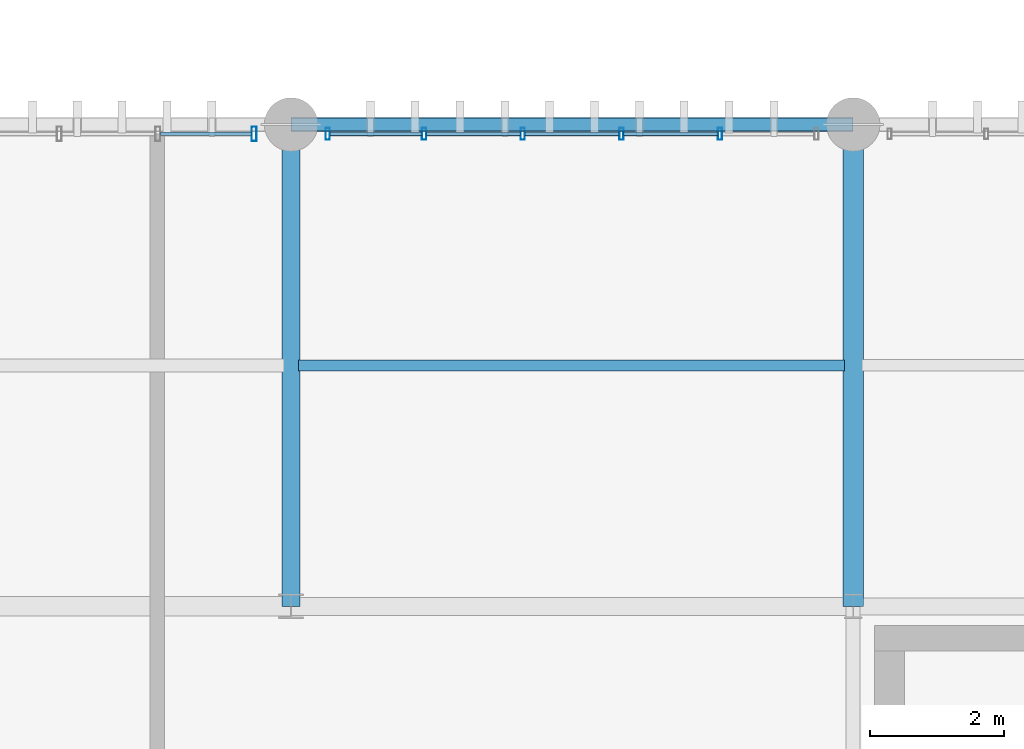
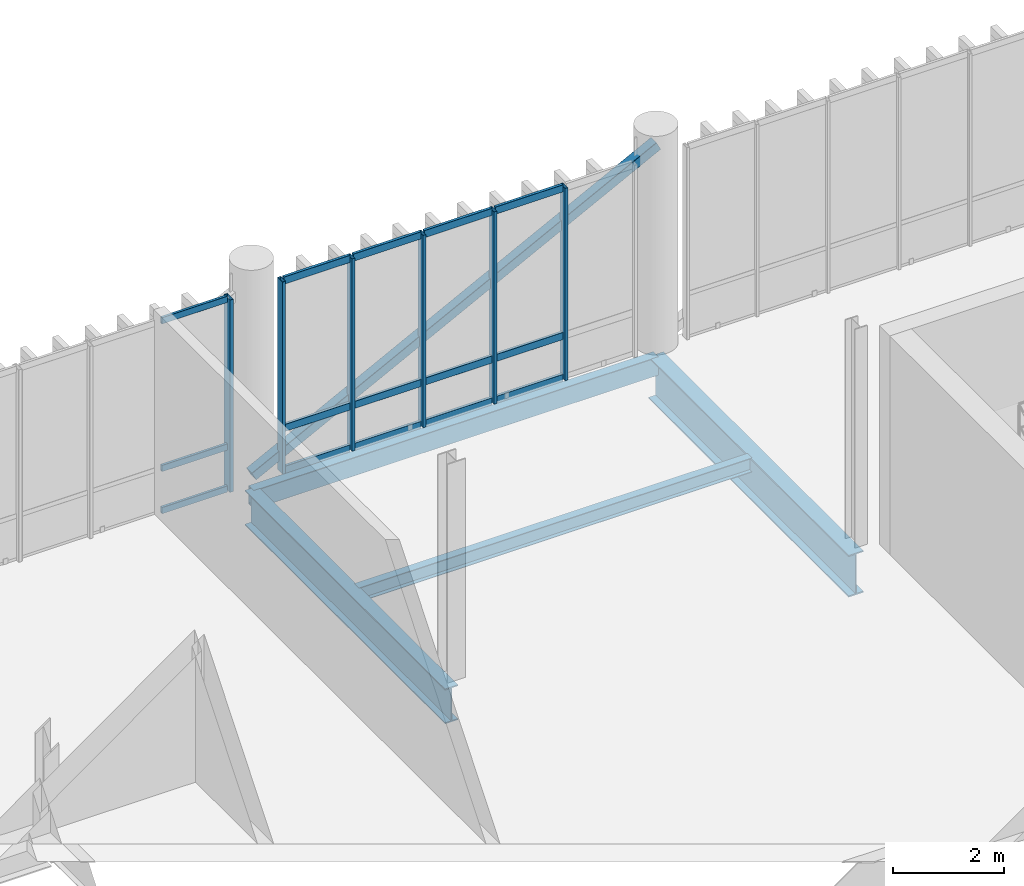
# One storey, part 42 of 94: 22 members, 4 beams, 2 elements without a shape of their own.
"""IFC4 building model written with IfcOpenShell, lengths in metres."""

from ifc_helpers import new_model, si_unit, direction, frame, origin_with_axes, origin_2d_with_axis, place, context, subcontext, project, spatial, hollow_rectangle, i_section, extrude, material, material_profile, profile_set, type_object, element, aggregate, save


model = new_model("IFC4")

# Units and contexts
model_context = context("Model", 3, precision=1e-05, world=origin_with_axes(), true_north=direction((0.0, 1.0)))
body_context = subcontext(model_context, "Body", "Model", "MODEL_VIEW")
ifc_project = project(units=[si_unit("LENGTHUNIT", "METRE"), si_unit("AREAUNIT", "SQUARE_METRE"), si_unit("VOLUMEUNIT", "CUBIC_METRE"), si_unit("PLANEANGLEUNIT", "RADIAN"), si_unit("MASSUNIT", "GRAM", prefix="KILO"), si_unit("THERMODYNAMICTEMPERATUREUNIT", "KELVIN")], contexts=[model_context])

# Site, building, storey
site_placement = place(None, origin_with_axes())
site = spatial("IfcSite", under=ifc_project, at=site_placement, CompositionType="ELEMENT")
building_placement = place(site_placement, origin_with_axes())
building = spatial("IfcBuilding", under=site, at=building_placement, Name="Montbau Bow Law Courts", CompositionType="ELEMENT")
storey_placement = place(building_placement, frame((0.0, 0.0, 15.6), z_axis=(0.0, 0.0, 1.0), x_axis=(1.0, 0.0, 0.0)))
storey = spatial("IfcBuildingStorey", under=building, at=storey_placement, Name="L03", CompositionType="ELEMENT", Elevation=15.6)

# Beams
ifc_material_1 = material(Name="Steel CSA G40.21 Grade 350W (350 MPa)", Category="steel")
ifc_material_profile_1 = material_profile(ifc_material_1, i_section(OverallWidth=0.306, OverallDepth=0.919, WebThickness=0.0173, FlangeThickness=0.0279, at=origin_2d_with_axis()), Name="W920X253", Category="Main", Priority=0)
ifc_profile_set_1 = profile_set([ifc_material_profile_1], Name="Steel CSA G40.21 Grade 350W (350 MPa)")
beam_type_1 = type_object("IfcBeamType", Name="B-FLR-01", PredefinedType="BEAM", material=ifc_profile_set_1)
beam_1_placement = place(None, frame((80.4, 54.6, 14.88), z_axis=(0.0, 1.0, 0.0), x_axis=(-1.0, 0.0, 0.0)))
element("IfcBeam", 1, at=beam_1_placement, inside=storey, type_object=beam_type_1, Name="BM-L03-S0909:bm2_0912", PredefinedType="BEAM", context=body_context, shape_type="SweptSolid", body=[
    extrude(i_section(OverallWidth=0.306, OverallDepth=0.919, WebThickness=0.0173, FlangeThickness=0.0279, at=origin_2d_with_axis()), origin_with_axes(), (0.0, 0.0, 1.0), 7.2),
])
ifc_material_profile_2 = material_profile(ifc_material_1, i_section(OverallWidth=0.267, OverallDepth=0.766, WebThickness=0.0149, FlangeThickness=0.0236, at=origin_2d_with_axis()), Name="W760X185", Category="Main", Priority=0)
ifc_profile_set_2 = profile_set([ifc_material_profile_2], Name="Steel CSA G40.21 Grade 350W (350 MPa)")
beam_type_2 = type_object("IfcBeamType", Name="B-FLR-03", PredefinedType="BEAM", material=ifc_profile_set_2)
beam_2_placement = place(None, frame((72.0, 54.6, 14.957), z_axis=(0.0, 1.0, 0.0), x_axis=(-1.0, 0.0, 0.0)))
element("IfcBeam", 2, at=beam_2_placement, inside=storey, type_object=beam_type_2, Name="BM-L03-S0906:bm2_0909", PredefinedType="BEAM", context=body_context, shape_type="SweptSolid", body=[
    extrude(i_section(OverallWidth=0.267, OverallDepth=0.766, WebThickness=0.0149, FlangeThickness=0.0236, at=origin_2d_with_axis()), origin_with_axes(), (0.0, 0.0, 1.0), 7.2),
])
ifc_material_profile_3 = material_profile(ifc_material_1, i_section(OverallWidth=0.166, OverallDepth=0.313, WebThickness=0.0066, FlangeThickness=0.0112, at=origin_2d_with_axis()), Name="W310X45", Category="Main", Priority=0)
ifc_profile_set_3 = profile_set([ifc_material_profile_3], Name="Steel CSA G40.21 Grade 350W (350 MPa)")
beam_type_3 = type_object("IfcBeamType", Name="B-JST-04", PredefinedType="JOIST", material=ifc_profile_set_3)
beam_3_placement = place(None, frame((72.109, 58.2, 15.184), z_axis=(1.0, 0.0, 0.0), x_axis=(0.0, 1.0, 0.0)))
element("IfcBeam", 3, at=beam_3_placement, inside=storey, type_object=beam_type_3, Name="JST-L03-S0467:jst2_0467", PredefinedType="JOIST", context=body_context, shape_type="SweptSolid", body=[
    extrude(i_section(OverallWidth=0.166, OverallDepth=0.313, WebThickness=0.0066, FlangeThickness=0.0112, at=origin_2d_with_axis()), origin_with_axes(), (0.0, 0.0, 1.0), 8.162),
])
ifc_material_2 = material(Name="Steel CSA G40.21 Grade 350WT (350 MPa)", Category="steel")
ifc_material_profile_4 = material_profile(ifc_material_2, hollow_rectangle(XDim=0.203, YDim=0.406, WallThickness=0.0127, InnerFilletRadius=0.0254, OuterFilletRadius=0.0127, at=origin_2d_with_axis()), Name="HSS406X203X13", Category="Main", Priority=0)
ifc_profile_set_4 = profile_set([ifc_material_profile_4], Name="Steel CSA G40.21 Grade 350WT (350 MPa)")
beam_type_4 = type_object("IfcBeamType", Name="B-SPN-01", PredefinedType="SPANDREL", material=ifc_profile_set_4)
beam_4_placement = place(None, frame((72.0, 61.8, 15.137), z_axis=(1.0, 0.0, 0.0), x_axis=(0.0, 1.0, 0.0)))
element("IfcBeam", 4, at=beam_4_placement, inside=storey, type_object=beam_type_4, Name="SPN-L03-S0895:bm2_0898", PredefinedType="SPANDREL", context=body_context, shape_type="SweptSolid", body=[
    extrude(hollow_rectangle(XDim=0.203, YDim=0.406, WallThickness=0.0127, InnerFilletRadius=0.0254, OuterFilletRadius=0.0127, at=origin_2d_with_axis()), origin_with_axes(), (0.0, 0.0, 1.0), 8.4),
])

# Member
ifc_material_profile_5 = material_profile(ifc_material_1, hollow_rectangle(XDim=0.203, YDim=0.203, WallThickness=0.0111, InnerFilletRadius=0.0222, OuterFilletRadius=0.0111, at=origin_2d_with_axis()), Name="HSS203X203X11", Category="Main", Priority=0)
ifc_profile_set_5 = profile_set([ifc_material_profile_5], Name="Steel CSA G40.21 Grade 350W (350 MPa)")
member_type_1 = type_object("IfcMemberType", Name="M-BRC-02", PredefinedType="BRACE", material=ifc_profile_set_5)
member_1_placement = place(None, frame((72.0, 61.8, 15.65), z_axis=(0.889373911, 0.0, 0.457180541), x_axis=(0.0, 1.0, 0.0)))
element("IfcMember", 5, at=member_1_placement, inside=storey, type_object=member_type_1, Name="Diagonal brace CBF-L03-053A", PredefinedType="BRACE", context=body_context, shape_type="SweptSolid", body=[
    extrude(hollow_rectangle(XDim=0.203, YDim=0.203, WallThickness=0.0111, InnerFilletRadius=0.0222, OuterFilletRadius=0.0111, at=origin_2d_with_axis()), origin_with_axes(), (0.0, 0.0, 1.0), 9.444846),
])

# Curtain wall, member
ifc_material_3 = material(Name="Thermally Broken Extruded Aluminium AA 6063-T6", Category="aluminium")
curtain_wall_type = type_object("IfcCurtainWallType", Name="CW-CRM-01", PredefinedType="NOTDEFINED", material=ifc_material_3)
curtain_wall_1_placement = place(None, frame((64.115, 61.66, 15.6), z_axis=(0.0, 0.0, 1.0), x_axis=(1.0, 0.0, 0.0)))
curtain_wall_1 = element("IfcCurtainWall", 6, at=curtain_wall_1_placement, inside=storey, type_object=curtain_wall_type, Name="CW-L03-183:cw_0183", PredefinedType="NOTDEFINED")
ifc_material_profile_6 = material_profile(ifc_material_3, hollow_rectangle(XDim=0.075, YDim=0.22, WallThickness=0.005, InnerFilletRadius=0.01, OuterFilletRadius=0.005, at=origin_2d_with_axis()), Name="CWM-220X75", Category="Main", Priority=0)
ifc_profile_set_6 = profile_set([ifc_material_profile_6], Name="Thermally Broken Extruded Aluminium AA 6063-T6")
member_type_2 = type_object("IfcMemberType", Name="M-MUL-01", PredefinedType="MULLION", material=ifc_profile_set_6)
member_2_placement = place(None, frame((71.448, 61.66, 15.6), z_axis=(0.0, 0.0, 1.0), x_axis=(1.0, 0.0, 0.0)))
member_2 = element("IfcMember", 7, at=member_2_placement, type_object=member_type_2, Name="CW-L03-183-M06:cw_0183_M06", PredefinedType="MULLION", context=body_context, shape_type="SweptSolid", body=[
    extrude(hollow_rectangle(XDim=0.075, YDim=0.22, WallThickness=0.005, InnerFilletRadius=0.01, OuterFilletRadius=0.005, at=origin_2d_with_axis()), origin_with_axes(), (0.0, 0.0, 1.0), 4.22),
])

# Curtain wall, members
curtain_wall_2_placement = place(None, frame((72.515, 61.66, 15.6), z_axis=(0.0, 0.0, 1.0), x_axis=(1.0, 0.0, 0.0)))
curtain_wall_2 = element("IfcCurtainWall", 8, at=curtain_wall_2_placement, inside=storey, type_object=curtain_wall_type, Name="CW-L03-184:cw_0184", PredefinedType="NOTDEFINED")
ifc_material_profile_7 = material_profile(ifc_material_3, hollow_rectangle(XDim=0.065, YDim=0.18, WallThickness=0.005, InnerFilletRadius=0.01, OuterFilletRadius=0.005, at=origin_2d_with_axis()), Name="CWM-180X65", Category="Main", Priority=0)
ifc_profile_set_7 = profile_set([ifc_material_profile_7], Name="Thermally Broken Extruded Aluminium AA 6063-T6")
member_type_3 = type_object("IfcMemberType", Name="M-MUL-02", PredefinedType="MULLION", material=ifc_profile_set_7)
member_3_placement = place(None, frame((72.548, 61.66, 15.6), z_axis=(0.0, 0.0, 1.0), x_axis=(1.0, 0.0, 0.0)))
member_3 = element("IfcMember", 9, at=member_3_placement, type_object=member_type_3, Name="CW-L03-184-M01:cw_0184_M01", PredefinedType="MULLION", context=body_context, shape_type="SweptSolid", body=[
    extrude(hollow_rectangle(XDim=0.065, YDim=0.18, WallThickness=0.005, InnerFilletRadius=0.01, OuterFilletRadius=0.005, at=origin_2d_with_axis()), origin_with_axes(), (0.0, 0.0, 1.0), 4.22),
])
member_4_placement = place(None, frame((73.989, 61.66, 15.6), z_axis=(0.0, 0.0, 1.0), x_axis=(1.0, 0.0, 0.0)))
member_4 = element("IfcMember", 10, at=member_4_placement, type_object=member_type_3, Name="CW-L03-184-M02:cw_0184_M02", PredefinedType="MULLION", context=body_context, shape_type="SweptSolid", body=[
    extrude(hollow_rectangle(XDim=0.065, YDim=0.18, WallThickness=0.005, InnerFilletRadius=0.01, OuterFilletRadius=0.005, at=origin_2d_with_axis()), origin_with_axes(), (0.0, 0.0, 1.0), 4.22),
])
member_5_placement = place(None, frame((75.463, 61.66, 15.6), z_axis=(0.0, 0.0, 1.0), x_axis=(1.0, 0.0, 0.0)))
member_5 = element("IfcMember", 11, at=member_5_placement, type_object=member_type_3, Name="CW-L03-184-M03:cw_0184_M03", PredefinedType="MULLION", context=body_context, shape_type="SweptSolid", body=[
    extrude(hollow_rectangle(XDim=0.065, YDim=0.18, WallThickness=0.005, InnerFilletRadius=0.01, OuterFilletRadius=0.005, at=origin_2d_with_axis()), origin_with_axes(), (0.0, 0.0, 1.0), 4.22),
])
member_6_placement = place(None, frame((76.937, 61.66, 15.6), z_axis=(0.0, 0.0, 1.0), x_axis=(1.0, 0.0, 0.0)))
member_6 = element("IfcMember", 12, at=member_6_placement, type_object=member_type_3, Name="CW-L03-184-M04:cw_0184_M04", PredefinedType="MULLION", context=body_context, shape_type="SweptSolid", body=[
    extrude(hollow_rectangle(XDim=0.065, YDim=0.18, WallThickness=0.005, InnerFilletRadius=0.01, OuterFilletRadius=0.005, at=origin_2d_with_axis()), origin_with_axes(), (0.0, 0.0, 1.0), 4.22),
])
member_7_placement = place(None, frame((78.411, 61.66, 15.6), z_axis=(0.0, 0.0, 1.0), x_axis=(1.0, 0.0, 0.0)))
member_7 = element("IfcMember", 13, at=member_7_placement, type_object=member_type_3, Name="CW-L03-184-M05:cw_0184_M05", PredefinedType="MULLION", context=body_context, shape_type="SweptSolid", body=[
    extrude(hollow_rectangle(XDim=0.065, YDim=0.18, WallThickness=0.005, InnerFilletRadius=0.01, OuterFilletRadius=0.005, at=origin_2d_with_axis()), origin_with_axes(), (0.0, 0.0, 1.0), 4.22),
])
ifc_material_profile_8 = material_profile(ifc_material_3, hollow_rectangle(XDim=0.06, YDim=0.16, WallThickness=0.004, InnerFilletRadius=0.008, OuterFilletRadius=0.004, at=origin_2d_with_axis()), Name="CWT-160X60", Category="Main", Priority=0)
ifc_profile_set_8 = profile_set([ifc_material_profile_8], Name="Thermally Broken Extruded Aluminium AA 6063-T6")
member_type_4 = type_object("IfcMemberType", Name="M-TRN-01", PredefinedType="USERDEFINED", material=ifc_profile_set_8)
member_8_placement = place(None, frame((72.583, 61.66, 15.63), z_axis=(1.0, 0.0, 0.0), x_axis=(0.0, 1.0, 0.0)))
member_8 = element("IfcMember", 14, at=member_8_placement, type_object=member_type_4, Name="CW-L03-184-T01-1:cw_0184_T01_1", ObjectType="TRANSOM", PredefinedType="USERDEFINED", context=body_context, shape_type="SweptSolid", body=[
    extrude(hollow_rectangle(XDim=0.06, YDim=0.16, WallThickness=0.004, InnerFilletRadius=0.008, OuterFilletRadius=0.004, at=origin_2d_with_axis()), origin_with_axes(), (0.0, 0.0, 1.0), 1.372),
])
member_9_placement = place(None, frame((72.583, 61.66, 16.55), z_axis=(1.0, 0.0, 0.0), x_axis=(0.0, 1.0, 0.0)))
member_9 = element("IfcMember", 15, at=member_9_placement, type_object=member_type_4, Name="CW-L03-184-T01-2:cw_0184_T01_2", ObjectType="TRANSOM", PredefinedType="USERDEFINED", context=body_context, shape_type="SweptSolid", body=[
    extrude(hollow_rectangle(XDim=0.06, YDim=0.16, WallThickness=0.004, InnerFilletRadius=0.008, OuterFilletRadius=0.004, at=origin_2d_with_axis()), origin_with_axes(), (0.0, 0.0, 1.0), 1.372),
])
member_10_placement = place(None, frame((72.583, 61.66, 19.79), z_axis=(1.0, 0.0, 0.0), x_axis=(0.0, 1.0, 0.0)))
member_10 = element("IfcMember", 16, at=member_10_placement, type_object=member_type_4, Name="CW-L03-184-T01-3:cw_0184_T01_3", ObjectType="TRANSOM", PredefinedType="USERDEFINED", context=body_context, shape_type="SweptSolid", body=[
    extrude(hollow_rectangle(XDim=0.06, YDim=0.16, WallThickness=0.004, InnerFilletRadius=0.008, OuterFilletRadius=0.004, at=origin_2d_with_axis()), origin_with_axes(), (0.0, 0.0, 1.0), 1.372),
])
member_11_placement = place(None, frame((74.023, 61.66, 15.63), z_axis=(1.0, 0.0, 0.0), x_axis=(0.0, 1.0, 0.0)))
member_11 = element("IfcMember", 17, at=member_11_placement, type_object=member_type_4, Name="CW-L03-184-T02-1:cw_0184_T02_1", ObjectType="TRANSOM", PredefinedType="USERDEFINED", context=body_context, shape_type="SweptSolid", body=[
    extrude(hollow_rectangle(XDim=0.06, YDim=0.16, WallThickness=0.004, InnerFilletRadius=0.008, OuterFilletRadius=0.004, at=origin_2d_with_axis()), origin_with_axes(), (0.0, 0.0, 1.0), 1.405),
])
member_12_placement = place(None, frame((74.023, 61.66, 16.55), z_axis=(1.0, 0.0, 0.0), x_axis=(0.0, 1.0, 0.0)))
member_12 = element("IfcMember", 18, at=member_12_placement, type_object=member_type_4, Name="CW-L03-184-T02-2:cw_0184_T02_2", ObjectType="TRANSOM", PredefinedType="USERDEFINED", context=body_context, shape_type="SweptSolid", body=[
    extrude(hollow_rectangle(XDim=0.06, YDim=0.16, WallThickness=0.004, InnerFilletRadius=0.008, OuterFilletRadius=0.004, at=origin_2d_with_axis()), origin_with_axes(), (0.0, 0.0, 1.0), 1.405),
])
member_13_placement = place(None, frame((74.023, 61.66, 19.79), z_axis=(1.0, 0.0, 0.0), x_axis=(0.0, 1.0, 0.0)))
member_13 = element("IfcMember", 19, at=member_13_placement, type_object=member_type_4, Name="CW-L03-184-T02-3:cw_0184_T02_3", ObjectType="TRANSOM", PredefinedType="USERDEFINED", context=body_context, shape_type="SweptSolid", body=[
    extrude(hollow_rectangle(XDim=0.06, YDim=0.16, WallThickness=0.004, InnerFilletRadius=0.008, OuterFilletRadius=0.004, at=origin_2d_with_axis()), origin_with_axes(), (0.0, 0.0, 1.0), 1.405),
])
member_14_placement = place(None, frame((75.497, 61.66, 15.63), z_axis=(1.0, 0.0, 0.0), x_axis=(0.0, 1.0, 0.0)))
member_14 = element("IfcMember", 20, at=member_14_placement, type_object=member_type_4, Name="CW-L03-184-T03-1:cw_0184_T03_1", ObjectType="TRANSOM", PredefinedType="USERDEFINED", context=body_context, shape_type="SweptSolid", body=[
    extrude(hollow_rectangle(XDim=0.06, YDim=0.16, WallThickness=0.004, InnerFilletRadius=0.008, OuterFilletRadius=0.004, at=origin_2d_with_axis()), origin_with_axes(), (0.0, 0.0, 1.0), 1.406),
])
member_15_placement = place(None, frame((75.497, 61.66, 16.55), z_axis=(1.0, 0.0, 0.0), x_axis=(0.0, 1.0, 0.0)))
member_15 = element("IfcMember", 21, at=member_15_placement, type_object=member_type_4, Name="CW-L03-184-T03-2:cw_0184_T03_2", ObjectType="TRANSOM", PredefinedType="USERDEFINED", context=body_context, shape_type="SweptSolid", body=[
    extrude(hollow_rectangle(XDim=0.06, YDim=0.16, WallThickness=0.004, InnerFilletRadius=0.008, OuterFilletRadius=0.004, at=origin_2d_with_axis()), origin_with_axes(), (0.0, 0.0, 1.0), 1.406),
])
member_16_placement = place(None, frame((75.497, 61.66, 19.79), z_axis=(1.0, 0.0, 0.0), x_axis=(0.0, 1.0, 0.0)))
member_16 = element("IfcMember", 22, at=member_16_placement, type_object=member_type_4, Name="CW-L03-184-T03-3:cw_0184_T03_3", ObjectType="TRANSOM", PredefinedType="USERDEFINED", context=body_context, shape_type="SweptSolid", body=[
    extrude(hollow_rectangle(XDim=0.06, YDim=0.16, WallThickness=0.004, InnerFilletRadius=0.008, OuterFilletRadius=0.004, at=origin_2d_with_axis()), origin_with_axes(), (0.0, 0.0, 1.0), 1.406),
])
member_17_placement = place(None, frame((76.971, 61.66, 15.63), z_axis=(1.0, 0.0, 0.0), x_axis=(0.0, 1.0, 0.0)))
member_17 = element("IfcMember", 23, at=member_17_placement, type_object=member_type_4, Name="CW-L03-184-T04-1:cw_0184_T04_1", ObjectType="TRANSOM", PredefinedType="USERDEFINED", context=body_context, shape_type="SweptSolid", body=[
    extrude(hollow_rectangle(XDim=0.06, YDim=0.16, WallThickness=0.004, InnerFilletRadius=0.008, OuterFilletRadius=0.004, at=origin_2d_with_axis()), origin_with_axes(), (0.0, 0.0, 1.0), 1.406),
])
member_18_placement = place(None, frame((76.971, 61.66, 16.55), z_axis=(1.0, 0.0, 0.0), x_axis=(0.0, 1.0, 0.0)))
member_18 = element("IfcMember", 24, at=member_18_placement, type_object=member_type_4, Name="CW-L03-184-T04-2:cw_0184_T04_2", ObjectType="TRANSOM", PredefinedType="USERDEFINED", context=body_context, shape_type="SweptSolid", body=[
    extrude(hollow_rectangle(XDim=0.06, YDim=0.16, WallThickness=0.004, InnerFilletRadius=0.008, OuterFilletRadius=0.004, at=origin_2d_with_axis()), origin_with_axes(), (0.0, 0.0, 1.0), 1.406),
])
member_19_placement = place(None, frame((76.971, 61.66, 19.79), z_axis=(1.0, 0.0, 0.0), x_axis=(0.0, 1.0, 0.0)))
member_19 = element("IfcMember", 25, at=member_19_placement, type_object=member_type_4, Name="CW-L03-184-T04-3:cw_0184_T04_3", ObjectType="TRANSOM", PredefinedType="USERDEFINED", context=body_context, shape_type="SweptSolid", body=[
    extrude(hollow_rectangle(XDim=0.06, YDim=0.16, WallThickness=0.004, InnerFilletRadius=0.008, OuterFilletRadius=0.004, at=origin_2d_with_axis()), origin_with_axes(), (0.0, 0.0, 1.0), 1.406),
])
aggregate(curtain_wall_2, [member_3, member_4, member_5, member_6, member_7, member_8, member_9, member_10, member_11, member_12, member_13, member_14, member_15, member_16, member_17, member_18, member_19])

# Member
ifc_material_profile_9 = material_profile(ifc_material_3, hollow_rectangle(XDim=0.055, YDim=0.14, WallThickness=0.004, InnerFilletRadius=0.008, OuterFilletRadius=0.004, at=origin_2d_with_axis()), Name="CWT-140X55", Category="Main", Priority=0)
ifc_profile_set_9 = profile_set([ifc_material_profile_9], Name="Thermally Broken Extruded Aluminium AA 6063-T6")
member_type_5 = type_object("IfcMemberType", Name="M-TRN-02", PredefinedType="USERDEFINED", material=ifc_profile_set_9)
member_20_placement = place(None, frame((70.05, 61.66, 15.627), z_axis=(1.0, 0.0, 0.0), x_axis=(0.0, 1.0, 0.0)))
member_20 = element("IfcMember", 26, at=member_20_placement, type_object=member_type_5, Name="CW-L03-183-T05-1:cw_0183_T05_1", ObjectType="TRANSOM", PredefinedType="USERDEFINED", context=body_context, shape_type="SweptSolid", body=[
    extrude(hollow_rectangle(XDim=0.055, YDim=0.14, WallThickness=0.004, InnerFilletRadius=0.008, OuterFilletRadius=0.004, at=origin_2d_with_axis()), origin_with_axes(), (0.0, 0.0, 1.0), 1.359),
])

member_21_placement = place(None, frame((70.05, 61.66, 16.55), z_axis=(1.0, 0.0, 0.0), x_axis=(0.0, 1.0, 0.0)))
member_21 = element("IfcMember", 27, at=member_21_placement, type_object=member_type_5, Name="CW-L03-183-T05-2:cw_0183_T05_2", ObjectType="TRANSOM", PredefinedType="USERDEFINED", context=body_context, shape_type="SweptSolid", body=[
    extrude(hollow_rectangle(XDim=0.055, YDim=0.14, WallThickness=0.004, InnerFilletRadius=0.008, OuterFilletRadius=0.004, at=origin_2d_with_axis()), origin_with_axes(), (0.0, 0.0, 1.0), 1.359),
])

member_22_placement = place(None, frame((70.05, 61.66, 19.793), z_axis=(1.0, 0.0, 0.0), x_axis=(0.0, 1.0, 0.0)))
member_22 = element("IfcMember", 28, at=member_22_placement, type_object=member_type_5, Name="CW-L03-183-T05-3:cw_0183_T05_3", ObjectType="TRANSOM", PredefinedType="USERDEFINED", context=body_context, shape_type="SweptSolid", body=[
    extrude(hollow_rectangle(XDim=0.055, YDim=0.14, WallThickness=0.004, InnerFilletRadius=0.008, OuterFilletRadius=0.004, at=origin_2d_with_axis()), origin_with_axes(), (0.0, 0.0, 1.0), 1.359),
])

aggregate(curtain_wall_1, [member_2, member_20, member_21, member_22])

save(model, "model.ifc")
